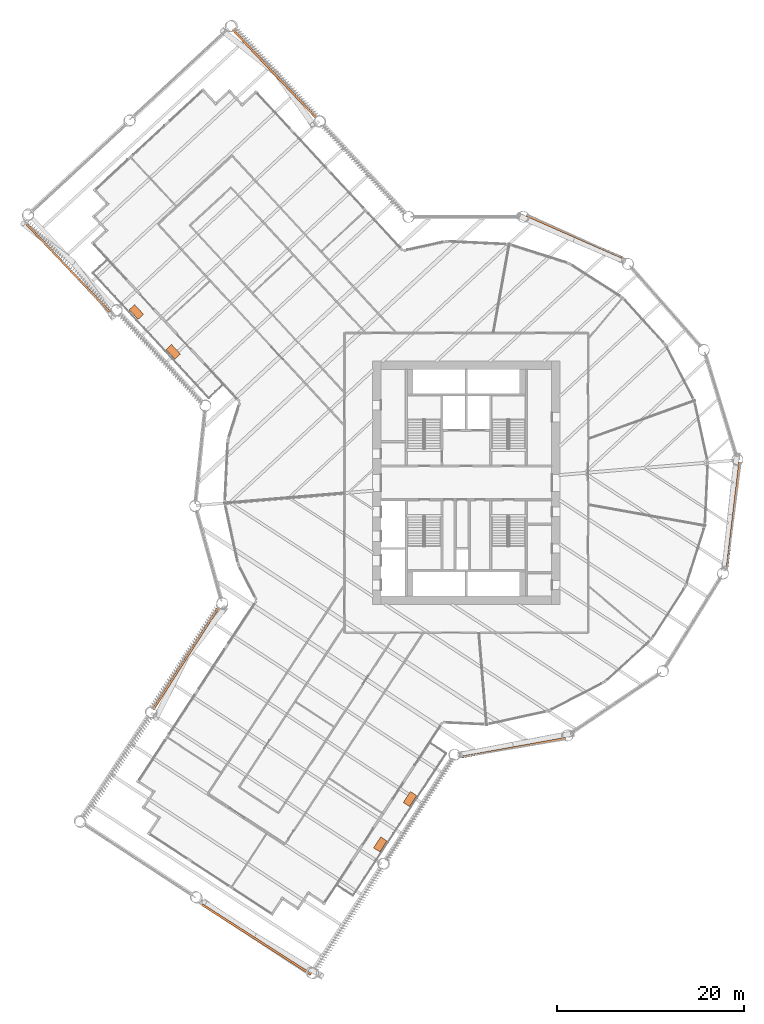
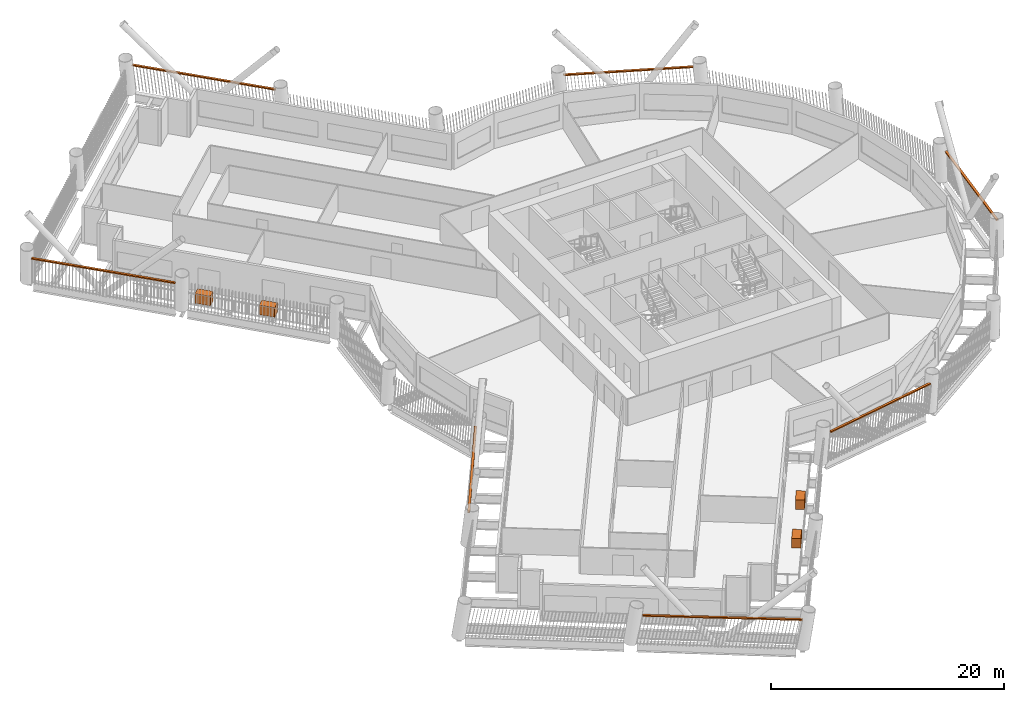
# One storey, part 22 of 22: 11 proxies.
"""IFC4 building model written with IfcOpenShell, lengths in metres."""

import ifcopenshell
import ifcopenshell.guid

model = None  # the IFC model being written
_history = None  # IfcOwnerHistory: only IFC2X3 demands one
_inside = {}  # id of a spatial element -> (the spatial element, [elements in it])
_under = {}  # id of a project, library or spatial element -> (it, [spatial elements below it])
_declared = {}  # id of a project -> (the project, [libraries it declares])
_typed = {}  # id of a type object -> (the type object, [elements of that type])
_made_of = {}  # id of a material, layer set ... -> (it, [elements and type objects made of it])


def new_model(schema):
    """Start an empty IFC model of exactly this schema.

    Asked for "IFC4X3", IfcOpenShell would pick the latest addendum, in which some entities
    have other attributes; the version numbers below select the first issue.
    IFC2X3 requires an IfcOwnerHistory on every rooted entity: one is made here for all.
    """
    global model, _history
    if schema == "IFC4X3":
        model = ifcopenshell.file(schema_version=(4, 3, 0, 0))
    else:
        model = ifcopenshell.file(schema=schema)
    _inside.clear()
    _under.clear()
    _declared.clear()
    _typed.clear()
    _made_of.clear()
    _history = None
    if model.schema == "IFC2X3":
        org = make("IfcOrganization", Name="unknown")
        user = make(
            "IfcPersonAndOrganization",
            ThePerson=make("IfcPerson", FamilyName="unknown"),
            TheOrganization=org,
        )
        app = make(
            "IfcApplication",
            ApplicationDeveloper=org,
            Version="unknown",
            ApplicationFullName="unknown",
            ApplicationIdentifier="unknown",
        )
        _history = make(
            "IfcOwnerHistory",
            OwningUser=user,
            OwningApplication=app,
            ChangeAction="ADDED",
            CreationDate=0,
        )
    return model


def make(cls, **values):
    """One entity of the class cls with the attributes given. An attribute that is None is left unset."""
    return model.create_entity(
        cls, **{name: value for name, value in values.items() if value is not None}
    )


def rooted(cls, **values):
    """An entity with a GlobalId (a new one), such as an element, a storey or a relation."""
    return make(cls, GlobalId=ifcopenshell.guid.new(), OwnerHistory=_history, **values)


def si_unit(unit_type, name, prefix=None):
    """IfcSIUnit, for example si_unit("LENGTHUNIT", "METRE", prefix="MILLI")."""
    return make("IfcSIUnit", UnitType=unit_type, Prefix=prefix, Name=name)


def assignment(units):
    """IfcUnitAssignment: the units of a project."""
    return None if units is None else make("IfcUnitAssignment", Units=units)


def point(xyz):
    """IfcCartesianPoint."""
    return None if xyz is None else make("IfcCartesianPoint", Coordinates=xyz)


def direction(xyz):
    """IfcDirection."""
    return None if xyz is None else make("IfcDirection", DirectionRatios=xyz)


def frame(location, z_axis=None, x_axis=None):
    """IfcAxis2Placement3D, a coordinate frame: its origin and axes. An axis left out is left unset."""
    return make(
        "IfcAxis2Placement3D",
        Location=point(location),
        Axis=direction(z_axis),
        RefDirection=direction(x_axis),
    )


def frame_2d(location, x_axis=None):
    """IfcAxis2Placement2D, a coordinate frame in the plane: its origin and x axis."""
    return make(
        "IfcAxis2Placement2D", Location=point(location), RefDirection=direction(x_axis)
    )


def origin():
    """The frame at (0, 0, 0) with its axes left unset."""
    return frame((0.0, 0.0, 0.0))


def origin_2d():
    """The frame at (0, 0) in the plane with its x axis left unset."""
    return frame_2d((0.0, 0.0))


def place(relative_to, where):
    """IfcLocalPlacement: puts the frame where relative to a parent placement (None: the world)."""
    return make(
        "IfcLocalPlacement", PlacementRelTo=relative_to, RelativePlacement=where
    )


def context(
    kind, dimensions, precision=None, world=None, true_north=None, identifier=None
):
    """IfcGeometricRepresentationContext, for example the 3D "Model" context."""
    return make(
        "IfcGeometricRepresentationContext",
        ContextIdentifier=identifier,
        ContextType=kind,
        CoordinateSpaceDimension=dimensions,
        Precision=precision,
        WorldCoordinateSystem=world,
        TrueNorth=true_north,
    )


def subcontext(parent, identifier, kind, view, scale=None):
    """IfcGeometricRepresentationSubContext, for example "Body" below "Model"."""
    return make(
        "IfcGeometricRepresentationSubContext",
        ContextIdentifier=identifier,
        ContextType=kind,
        ParentContext=parent,
        TargetScale=scale,
        TargetView=view,
    )


def project(units=None, contexts=None):
    """IfcProject with its units and contexts."""
    return rooted(
        "IfcProject",
        Name="project",
        RepresentationContexts=contexts,
        UnitsInContext=assignment(units),
    )


def spatial(cls, under=None, at=None, **own):
    """A site, building, storey or space (cls), placed at a placement, below another one or the project."""
    s = rooted(cls, ObjectPlacement=at, **own)
    if under is not None:
        _under.setdefault(under.id(), (under, []))[1].append(s)
    return s


def profile(cls, at=None, kind="AREA", **sizes):
    """A parametric profile (cls). Its sizes go by their IFC names, for example OverallWidth=200.0."""
    return make(cls, ProfileType=kind, Position=at, **sizes)


def rectangle(**sizes):
    """IfcRectangleProfileDef."""
    return profile("IfcRectangleProfileDef", **sizes)


def extrude(swept, where, along, depth):
    """IfcExtrudedAreaSolid: the profile swept, set in the frame where, extruded along a direction by depth."""
    return make(
        "IfcExtrudedAreaSolid",
        SweptArea=swept,
        Position=where,
        ExtrudedDirection=direction(along),
        Depth=depth,
    )


def shape(context_of_items, identifier, shape_type, items):
    """IfcShapeRepresentation: the items that make up one representation, for example the "Body"."""
    return make(
        "IfcShapeRepresentation",
        ContextOfItems=context_of_items,
        RepresentationIdentifier=identifier,
        RepresentationType=shape_type,
        Items=items,
    )


def material(Name=None, Category=None):
    """IfcMaterial."""
    return make("IfcMaterial", Name=Name, Category=Category)


def made_of(thing, what):
    """Note that an element or type object is made of a material, layer set ...; save() writes the relation."""
    if what is not None:
        _made_of.setdefault(what.id(), (what, []))[1].append(thing)
    return thing


def type_object(cls, material=None, **own):
    """A type object (cls), such as IfcWallType, which elements share."""
    return made_of(rooted(cls, **own), material)


def element(
    cls,
    number,
    at=None,
    inside=None,
    cuts=None,
    type_object=None,
    material=None,
    context=None,
    identifier="Body",
    shape_type=None,
    held_by="IfcProductDefinitionShape",
    body=None,
    shapes=None,
    **own,
):
    """One element of the class cls, such as IfcWall. Its Tag is "e" and its number.

    at: its placement. inside: the storey or other place that contains it. cuts: it is an
    opening in that element (IfcRelVoidsElement). A single representation is given by context,
    identifier, shape_type and body (its items); several are given by shapes. held_by: the class
    of the entity that holds the representations. save() writes the other relations.
    """
    e = rooted(cls, Tag="e%d" % number, ObjectPlacement=at, **own)
    if body is not None:
        shapes = [shape(context, identifier, shape_type, body)]
    if shapes is not None:
        e.Representation = make(held_by, Representations=shapes)
    if inside is not None:
        _inside.setdefault(inside.id(), (inside, []))[1].append(e)
    if cuts is not None:
        rooted(
            "IfcRelVoidsElement", RelatingBuildingElement=cuts, RelatedOpeningElement=e
        )
    if type_object is not None:
        _typed.setdefault(type_object.id(), (type_object, []))[1].append(e)
    return made_of(e, material)


def aggregate(whole, parts):
    """IfcRelAggregates: a whole, such as a stair, and the parts it consists of."""
    return rooted("IfcRelAggregates", RelatingObject=whole, RelatedObjects=parts)


def save(model, path):
    """Write the relations noted so far, then the file.

    IfcRelAggregates (storeys below a building ...), IfcRelContainedInSpatialStructure (elements
    in a storey), IfcRelDefinesByType, IfcRelAssociatesMaterial and IfcRelDeclares: one each for
    every whole, place, type object, material and project.
    """
    for whole, parts in _under.values():
        aggregate(whole, parts)
    for where, things in _inside.values():
        rooted(
            "IfcRelContainedInSpatialStructure",
            RelatedElements=things,
            RelatingStructure=where,
        )
    for kind, things in _typed.values():
        rooted("IfcRelDefinesByType", RelatedObjects=things, RelatingType=kind)
    for what, things in _made_of.values():
        rooted("IfcRelAssociatesMaterial", RelatedObjects=things, RelatingMaterial=what)
    for by, libraries in _declared.values():
        rooted("IfcRelDeclares", RelatingContext=by, RelatedDefinitions=libraries)
    model.write(path)


model = new_model("IFC4")

# Units and contexts
model_context = context("Model", 3, precision=1e-05, world=origin(), true_north=direction((0.0, 1.0)))
body_context = subcontext(model_context, "Body", "Model", "MODEL_VIEW")
ifc_project = project(units=[si_unit("LENGTHUNIT", "METRE"), si_unit("AREAUNIT", "SQUARE_METRE"), si_unit("VOLUMEUNIT", "CUBIC_METRE"), si_unit("PLANEANGLEUNIT", "RADIAN"), si_unit("MASSUNIT", "GRAM", prefix="KILO")], contexts=[model_context])

# Site, building, storey
site_placement = place(None, origin())
site = spatial("IfcSite", under=ifc_project, at=site_placement, CompositionType="ELEMENT")
building_placement = place(site_placement, origin())
building = spatial("IfcBuilding", under=site, at=building_placement, Name="Tarsis Ring Headquarters", CompositionType="ELEMENT")
storey_placement = place(building_placement, frame((0.0, 0.0, 63.39990234375)))
storey = spatial("IfcBuildingStorey", under=building, at=storey_placement, Name="L13", CompositionType="ELEMENT", Elevation=63.39990234375)

# Proxies
ifc_material_1 = material(Name="Structural steel S355", Category="steel")
building_element_proxy_type_1 = type_object("IfcBuildingElementProxyType", Name="Screen bracket plate", PredefinedType="USERDEFINED", material=ifc_material_1)
proxy_1_placement = place(storey_placement, frame((-29.952880859375, -18.765380859375, 2.95263671875), z_axis=(0.0, 0.0, 1.0), x_axis=(-0.538770829118, -0.842452368797, 0.0)))
element("IfcBuildingElementProxy", 1, at=proxy_1_placement, inside=storey, type_object=building_element_proxy_type_1, Name="Screen bracket L13-01", ObjectType="Bracket", PredefinedType="USERDEFINED", context=body_context, shape_type="SweptSolid", body=[
    extrude(rectangle(XDim=12.90234375, YDim=0.222900390625, at=origin_2d()), origin(), (0.0, 0.0, 1.0), 0.1201171875),
])
proxy_2_placement = place(storey_placement, frame((-22.38720703125, -48.740966796875, 2.95263671875), z_axis=(0.0, 0.0, 1.0), x_axis=(0.842452397007, -0.538770785007, 0.0)))
element("IfcBuildingElementProxy", 2, at=proxy_2_placement, inside=storey, type_object=building_element_proxy_type_1, Name="Screen bracket L13-04", ObjectType="Bracket", PredefinedType="USERDEFINED", context=body_context, shape_type="SweptSolid", body=[
    extrude(rectangle(XDim=13.800048828125, YDim=0.222900390625, at=origin_2d()), origin(), (0.0, 0.0, 1.0), 0.1201171875),
])
for number, where, z_axis, x_axis, name in (
    (3, (5.08642578125, -28.26513671875, 2.95263671875), (0.0, 0.0, 1.0), (0.984191660886, 0.177106675884, 0.0), "Screen bracket L13-07"),
    (4, (28.518798828125, -3.38623046875, 2.95263671875), (0.0, 0.0, 1.0), (0.117905649049, 0.993024802269, 0.0), "Screen bracket L13-10"),
    (5, (11.563720703125, 26.2880859375, 2.95263671875), (0.0, 0.0, 1.0), (-0.915355273, 0.402647146012, 0.0), "Screen bracket L13-13"),
):
    element("IfcBuildingElementProxy", number, at=place(storey_placement, frame(where, z_axis=z_axis, x_axis=x_axis)), inside=storey, type_object=building_element_proxy_type_1, Name=name, ObjectType="Bracket", PredefinedType="USERDEFINED", context=body_context, shape_type="SweptSolid", body=[
        extrude(rectangle(XDim=11.248779296875, YDim=0.222900390625, at=origin_2d()), origin(), (0.0, 0.0, 1.0), 0.1201171875),
    ])
for number, where, z_axis, x_axis, name in (
    (6, (-20.513916015625, 43.703857421875, 2.95263671875), (0.0, 0.0, 1.0), (-0.687087510804, 0.726574670971, 0.0), "Screen bracket L13-16"),
    (7, (-42.490478515625, 22.92138671875, 2.95263671875), (0.0, 0.0, 1.0), (0.687087510804, -0.726574670971, 0.0), "Screen bracket L13-19"),
):
    element("IfcBuildingElementProxy", number, at=place(storey_placement, frame(where, z_axis=z_axis, x_axis=x_axis)), inside=storey, type_object=building_element_proxy_type_1, Name=name, ObjectType="Bracket", PredefinedType="USERDEFINED", context=body_context, shape_type="SweptSolid", body=[
        extrude(rectangle(XDim=12.90234375, YDim=0.222900390625, at=origin_2d()), origin(), (0.0, 0.0, 1.0), 0.1201171875),
    ])
ifc_material_2 = material(Name="Planter soil mix and tree")
building_element_proxy_type_2 = type_object("IfcBuildingElementProxyType", Name="Tree planter", PredefinedType="USERDEFINED", material=ifc_material_2)
for number, where, z_axis, x_axis, name in (
    (8, (-35.218994140625, 18.2373046875, 0.0), (0.0, 0.0, 1.0), (0.679441291456, -0.733729876361, 0.0), "Tree planter L13-01.2"),
    (9, (-31.282958984375, 13.98681640625, 0.0), (0.0, 0.0, 1.0), (0.679441291456, -0.733729876361, 0.0), "Tree planter L13-01.3"),
    (10, (-9.1796875, -38.59130859375, 0.0), (0.0, 0.0, 1.0), (0.547563238097, 0.836764303902, 0.0), "Tree planter L13-16.2"),
    (11, (-6.010498046875, -33.748291015625, 0.0), (0.0, 0.0, 1.0), (0.547563238097, 0.836764303902, 0.0), "Tree planter L13-16.3"),
):
    element("IfcBuildingElementProxy", number, at=place(storey_placement, frame(where, z_axis=z_axis, x_axis=x_axis)), inside=storey, type_object=building_element_proxy_type_2, Name=name, ObjectType="Planter", PredefinedType="USERDEFINED", context=body_context, shape_type="SweptSolid", body=[
        extrude(rectangle(XDim=1.39990234375, YDim=0.800048828125, at=origin_2d()), origin(), (0.0, 0.0, 1.0), 1.0),
    ])

save(model, "model.ifc")
